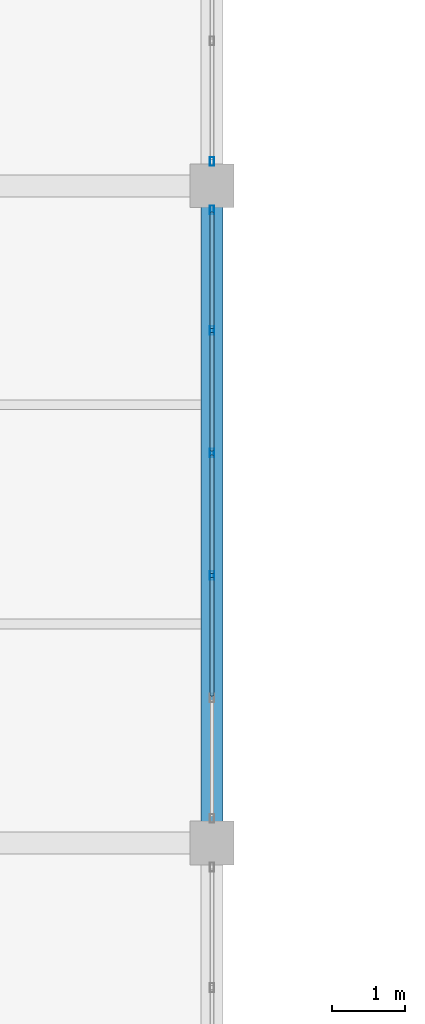
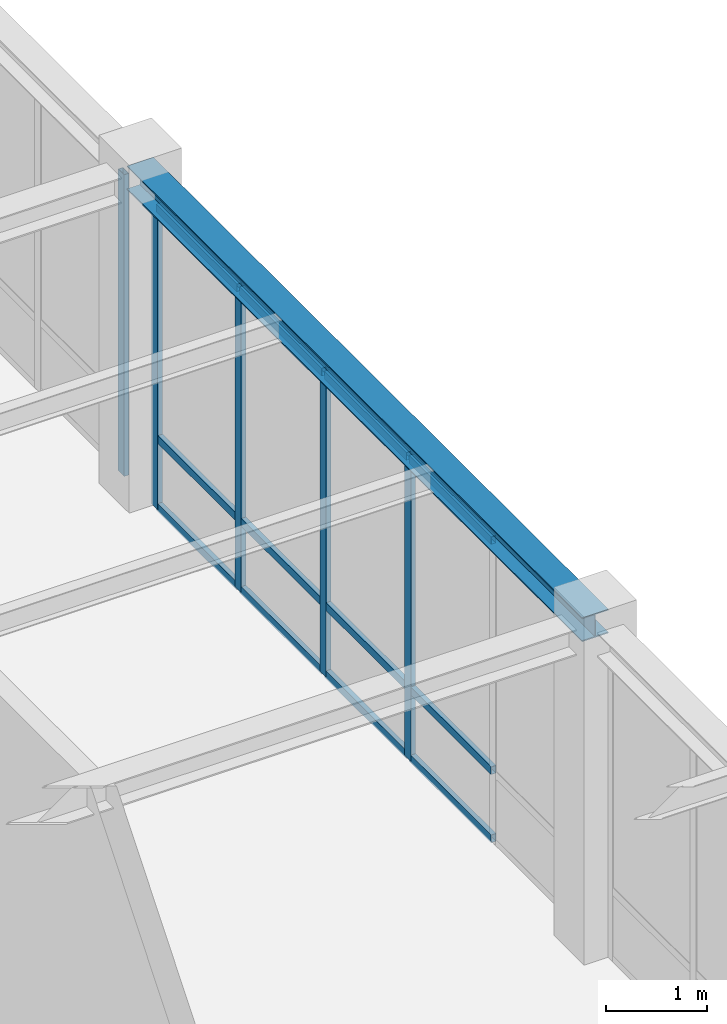
# One storey, part 60 of 130: 17 members, 1 beam, 2 elements without a shape of their own.
"""IFC4 building model written with IfcOpenShell, lengths in metres."""

from ifc_helpers import new_model, si_unit, direction, frame, origin, origin_2d, place, context, subcontext, project, spatial, hollow_rectangle, i_section, extrude, material, material_profile, profile_set, type_object, element, aggregate, save


model = new_model("IFC4")

# Units and contexts
model_context = context("Model", 3, precision=1e-05, world=origin(), true_north=direction((0.0, 1.0)))
body_context = subcontext(model_context, "Body", "Model", "MODEL_VIEW")
ifc_project = project(units=[si_unit("LENGTHUNIT", "METRE"), si_unit("AREAUNIT", "SQUARE_METRE"), si_unit("VOLUMEUNIT", "CUBIC_METRE"), si_unit("PLANEANGLEUNIT", "RADIAN"), si_unit("MASSUNIT", "GRAM", prefix="KILO")], contexts=[model_context])

# Site, building, storey
site_placement = place(None, origin())
site = spatial("IfcSite", under=ifc_project, at=site_placement, CompositionType="ELEMENT")
building_placement = place(site_placement, origin())
building = spatial("IfcBuilding", under=site, at=building_placement, Name="Lykobir Media Centre", CompositionType="ELEMENT")
storey_placement = place(building_placement, frame((0.0, 0.0, 19.199951171875)))
storey = spatial("IfcBuildingStorey", under=building, at=storey_placement, Name="L04", CompositionType="ELEMENT", Elevation=19.199951171875)

# Beam
ifc_material_1 = material(Name="Steel S355", Category="steel")
ifc_material_profile_1 = material_profile(ifc_material_1, i_section(OverallWidth=0.300048828125, OverallDepth=0.2900390625, WebThickness=0.008544921875, FlangeThickness=0.013916015625, at=origin_2d()), Name="HEA 300")
ifc_profile_set_1 = profile_set([ifc_material_profile_1], Name="Steel S355")
beam_type = type_object("IfcBeamType", Name="BM-HEA300", PredefinedType="BEAM", material=ifc_profile_set_1)
beam_placement = place(storey_placement, frame((99.0, 54.0, 3.81494140625), z_axis=(0.0, 1.0, 0.0), x_axis=(-1.0, 0.0, 0.0)))
element("IfcBeam", 1, at=beam_placement, inside=storey, type_object=beam_type, Name="Beam BM-L04-0990-0540-0990-0630-2302", PredefinedType="BEAM", context=body_context, shape_type="SweptSolid", body=[
    extrude(i_section(OverallWidth=0.300048828125, OverallDepth=0.2900390625, WebThickness=0.008544921875, FlangeThickness=0.013916015625, at=origin_2d()), origin(), (0.0, 0.0, 1.0), 9.0),
])

# Curtain wall, members
ifc_material_2 = material(Name="Anodized Aluminium AW-6060", Category="aluminium")
curtain_wall_type = type_object("IfcCurtainWallType", Name="CW-COURT-B", PredefinedType="NOTDEFINED", material=ifc_material_2)
curtain_wall_1_placement = place(storey_placement, origin())
curtain_wall_1 = element("IfcCurtainWall", 2, at=curtain_wall_1_placement, inside=storey, type_object=curtain_wall_type, Name="Curtain wall CW2-L04-0176", PredefinedType="NOTDEFINED")
ifc_material_profile_2 = material_profile(ifc_material_2, hollow_rectangle(XDim=0.054931640625, YDim=0.1201171875, WallThickness=0.003173828125, at=origin_2d()), Name="ALU MULLION 55x120")
ifc_profile_set_2 = profile_set([ifc_material_profile_2], Name="Anodized Aluminium AW-6060")
member_type_1 = type_object("IfcMemberType", Name="CWM-120", PredefinedType="MULLION", material=ifc_profile_set_2)
member_1_placement = place(storey_placement, frame((99.0, 62.66748046875, 0.0), z_axis=(0.0, 0.0, 1.0), x_axis=(1.0, 0.0, 0.0)))
member_1 = element("IfcMember", 3, at=member_1_placement, type_object=member_type_1, Name="CW2-L04-0176 mullion 1", PredefinedType="MULLION", context=body_context, shape_type="SweptSolid", body=[
    extrude(hollow_rectangle(XDim=0.054931640625, YDim=0.1201171875, WallThickness=0.003173828125, at=origin_2d()), origin(), (0.0, 0.0, 1.0), 3.655029296875),
])
member_2_placement = place(storey_placement, frame((99.0, 61.01708984375, 0.0), z_axis=(0.0, 0.0, 1.0), x_axis=(1.0, 0.0, 0.0)))
member_2 = element("IfcMember", 4, at=member_2_placement, type_object=member_type_1, Name="CW2-L04-0176 mullion 2", PredefinedType="MULLION", context=body_context, shape_type="SweptSolid", body=[
    extrude(hollow_rectangle(XDim=0.054931640625, YDim=0.1201171875, WallThickness=0.003173828125, at=origin_2d()), origin(), (0.0, 0.0, 1.0), 3.655029296875),
])
member_3_placement = place(storey_placement, frame((99.0, 59.339111328125, 0.0), z_axis=(0.0, 0.0, 1.0), x_axis=(1.0, 0.0, 0.0)))
member_3 = element("IfcMember", 5, at=member_3_placement, type_object=member_type_1, Name="CW2-L04-0176 mullion 3", PredefinedType="MULLION", context=body_context, shape_type="SweptSolid", body=[
    extrude(hollow_rectangle(XDim=0.054931640625, YDim=0.1201171875, WallThickness=0.003173828125, at=origin_2d()), origin(), (0.0, 0.0, 1.0), 3.655029296875),
])
member_4_placement = place(storey_placement, frame((99.0, 57.660888671875, 0.0), z_axis=(0.0, 0.0, 1.0), x_axis=(1.0, 0.0, 0.0)))
member_4 = element("IfcMember", 6, at=member_4_placement, type_object=member_type_1, Name="CW2-L04-0176 mullion 4", PredefinedType="MULLION", context=body_context, shape_type="SweptSolid", body=[
    extrude(hollow_rectangle(XDim=0.054931640625, YDim=0.1201171875, WallThickness=0.003173828125, at=origin_2d()), origin(), (0.0, 0.0, 1.0), 3.655029296875),
])

# Curtain wall, member
curtain_wall_2_placement = place(storey_placement, origin())
curtain_wall_2 = element("IfcCurtainWall", 7, at=curtain_wall_2_placement, inside=storey, type_object=curtain_wall_type, Name="Curtain wall CW2-L04-0177", PredefinedType="NOTDEFINED")
member_5_placement = place(storey_placement, frame((99.0, 63.33251953125, 0.0), z_axis=(0.0, 0.0, 1.0), x_axis=(1.0, 0.0, 0.0)))
member_5 = element("IfcMember", 8, at=member_5_placement, type_object=member_type_1, Name="CW2-L04-0177 mullion 6", PredefinedType="MULLION", context=body_context, shape_type="SweptSolid", body=[
    extrude(hollow_rectangle(XDim=0.054931640625, YDim=0.1201171875, WallThickness=0.003173828125, at=origin_2d()), origin(), (0.0, 0.0, 1.0), 3.64306640625),
])
aggregate(curtain_wall_2, [member_5])

# Member
ifc_material_profile_3 = material_profile(ifc_material_2, hollow_rectangle(XDim=0.054931640625, YDim=0.094970703125, WallThickness=0.0029296875, at=origin_2d()), Name="ALU TRANSOM 55x95")
ifc_profile_set_3 = profile_set([ifc_material_profile_3], Name="Anodized Aluminium AW-6060")
member_type_2 = type_object("IfcMemberType", Name="CWT-095", PredefinedType="USERDEFINED", material=ifc_profile_set_3)
member_6_placement = place(storey_placement, frame((99.0, 62.639892578125, 0.027587890625), z_axis=(0.0, -1.0, 0.0), x_axis=(1.0, 0.0, 0.0)))
member_6 = element("IfcMember", 9, at=member_6_placement, type_object=member_type_2, Name="CW2-L04-0176 transom 1.1", ObjectType="TRANSOM", PredefinedType="USERDEFINED", context=body_context, shape_type="SweptSolid", body=[
    extrude(hollow_rectangle(XDim=0.054931640625, YDim=0.094970703125, WallThickness=0.0029296875, at=origin_2d()), origin(), (0.0, 0.0, 1.0), 1.595458984375),
])

member_7_placement = place(storey_placement, frame((99.0, 62.639892578125, 0.85009765625), z_axis=(0.0, -1.0, 0.0), x_axis=(1.0, 0.0, 0.0)))
member_7 = element("IfcMember", 10, at=member_7_placement, type_object=member_type_2, Name="CW2-L04-0176 transom 1.2", ObjectType="TRANSOM", PredefinedType="USERDEFINED", context=body_context, shape_type="SweptSolid", body=[
    extrude(hollow_rectangle(XDim=0.054931640625, YDim=0.094970703125, WallThickness=0.0029296875, at=origin_2d()), origin(), (0.0, 0.0, 1.0), 1.595458984375),
])

member_8_placement = place(storey_placement, frame((99.0, 62.639892578125, 3.62744140625), z_axis=(0.0, -1.0, 0.0), x_axis=(1.0, 0.0, 0.0)))
member_8 = element("IfcMember", 11, at=member_8_placement, type_object=member_type_2, Name="CW2-L04-0176 transom 1.3", ObjectType="TRANSOM", PredefinedType="USERDEFINED", context=body_context, shape_type="SweptSolid", body=[
    extrude(hollow_rectangle(XDim=0.054931640625, YDim=0.094970703125, WallThickness=0.0029296875, at=origin_2d()), origin(), (0.0, 0.0, 1.0), 1.595458984375),
])

member_9_placement = place(storey_placement, frame((99.0, 60.989501953125, 0.027587890625), z_axis=(0.0, -1.0, 0.0), x_axis=(1.0, 0.0, 0.0)))
member_9 = element("IfcMember", 12, at=member_9_placement, type_object=member_type_2, Name="CW2-L04-0176 transom 2.1", ObjectType="TRANSOM", PredefinedType="USERDEFINED", context=body_context, shape_type="SweptSolid", body=[
    extrude(hollow_rectangle(XDim=0.054931640625, YDim=0.094970703125, WallThickness=0.0029296875, at=origin_2d()), origin(), (0.0, 0.0, 1.0), 1.623046875),
])

member_10_placement = place(storey_placement, frame((99.0, 60.989501953125, 0.85009765625), z_axis=(0.0, -1.0, 0.0), x_axis=(1.0, 0.0, 0.0)))
member_10 = element("IfcMember", 13, at=member_10_placement, type_object=member_type_2, Name="CW2-L04-0176 transom 2.2", ObjectType="TRANSOM", PredefinedType="USERDEFINED", context=body_context, shape_type="SweptSolid", body=[
    extrude(hollow_rectangle(XDim=0.054931640625, YDim=0.094970703125, WallThickness=0.0029296875, at=origin_2d()), origin(), (0.0, 0.0, 1.0), 1.623046875),
])

member_11_placement = place(storey_placement, frame((99.0, 60.989501953125, 3.62744140625), z_axis=(0.0, -1.0, 0.0), x_axis=(1.0, 0.0, 0.0)))
member_11 = element("IfcMember", 14, at=member_11_placement, type_object=member_type_2, Name="CW2-L04-0176 transom 2.3", ObjectType="TRANSOM", PredefinedType="USERDEFINED", context=body_context, shape_type="SweptSolid", body=[
    extrude(hollow_rectangle(XDim=0.054931640625, YDim=0.094970703125, WallThickness=0.0029296875, at=origin_2d()), origin(), (0.0, 0.0, 1.0), 1.623046875),
])

member_12_placement = place(storey_placement, frame((99.0, 59.3115234375, 0.027587890625), z_axis=(0.0, -1.0, 0.0), x_axis=(1.0, 0.0, 0.0)))
member_12 = element("IfcMember", 15, at=member_12_placement, type_object=member_type_2, Name="CW2-L04-0176 transom 3.1", ObjectType="TRANSOM", PredefinedType="USERDEFINED", context=body_context, shape_type="SweptSolid", body=[
    extrude(hollow_rectangle(XDim=0.054931640625, YDim=0.094970703125, WallThickness=0.0029296875, at=origin_2d()), origin(), (0.0, 0.0, 1.0), 1.623046875),
])

member_13_placement = place(storey_placement, frame((99.0, 59.3115234375, 0.85009765625), z_axis=(0.0, -1.0, 0.0), x_axis=(1.0, 0.0, 0.0)))
member_13 = element("IfcMember", 16, at=member_13_placement, type_object=member_type_2, Name="CW2-L04-0176 transom 3.2", ObjectType="TRANSOM", PredefinedType="USERDEFINED", context=body_context, shape_type="SweptSolid", body=[
    extrude(hollow_rectangle(XDim=0.054931640625, YDim=0.094970703125, WallThickness=0.0029296875, at=origin_2d()), origin(), (0.0, 0.0, 1.0), 1.623046875),
])

member_14_placement = place(storey_placement, frame((99.0, 59.3115234375, 3.62744140625), z_axis=(0.0, -1.0, 0.0), x_axis=(1.0, 0.0, 0.0)))
member_14 = element("IfcMember", 17, at=member_14_placement, type_object=member_type_2, Name="CW2-L04-0176 transom 3.3", ObjectType="TRANSOM", PredefinedType="USERDEFINED", context=body_context, shape_type="SweptSolid", body=[
    extrude(hollow_rectangle(XDim=0.054931640625, YDim=0.094970703125, WallThickness=0.0029296875, at=origin_2d()), origin(), (0.0, 0.0, 1.0), 1.623046875),
])

member_15_placement = place(storey_placement, frame((99.0, 57.633544921875, 0.027587890625), z_axis=(0.0, -1.0, 0.0), x_axis=(1.0, 0.0, 0.0)))
member_15 = element("IfcMember", 18, at=member_15_placement, type_object=member_type_2, Name="CW2-L04-0176 transom 4.1", ObjectType="TRANSOM", PredefinedType="USERDEFINED", context=body_context, shape_type="SweptSolid", body=[
    extrude(hollow_rectangle(XDim=0.054931640625, YDim=0.094970703125, WallThickness=0.0029296875, at=origin_2d()), origin(), (0.0, 0.0, 1.0), 1.623046875),
])

member_16_placement = place(storey_placement, frame((99.0, 57.633544921875, 0.85009765625), z_axis=(0.0, -1.0, 0.0), x_axis=(1.0, 0.0, 0.0)))
member_16 = element("IfcMember", 19, at=member_16_placement, type_object=member_type_2, Name="CW2-L04-0176 transom 4.2", ObjectType="TRANSOM", PredefinedType="USERDEFINED", context=body_context, shape_type="SweptSolid", body=[
    extrude(hollow_rectangle(XDim=0.054931640625, YDim=0.094970703125, WallThickness=0.0029296875, at=origin_2d()), origin(), (0.0, 0.0, 1.0), 1.623046875),
])

member_17_placement = place(storey_placement, frame((99.0, 57.633544921875, 3.62744140625), z_axis=(0.0, -1.0, 0.0), x_axis=(1.0, 0.0, 0.0)))
member_17 = element("IfcMember", 20, at=member_17_placement, type_object=member_type_2, Name="CW2-L04-0176 transom 4.3", ObjectType="TRANSOM", PredefinedType="USERDEFINED", context=body_context, shape_type="SweptSolid", body=[
    extrude(hollow_rectangle(XDim=0.054931640625, YDim=0.094970703125, WallThickness=0.0029296875, at=origin_2d()), origin(), (0.0, 0.0, 1.0), 1.623046875),
])

aggregate(curtain_wall_1, [member_1, member_2, member_3, member_4, member_6, member_7, member_8, member_9, member_10, member_11, member_12, member_13, member_14, member_15, member_16, member_17])

save(model, "model.ifc")
